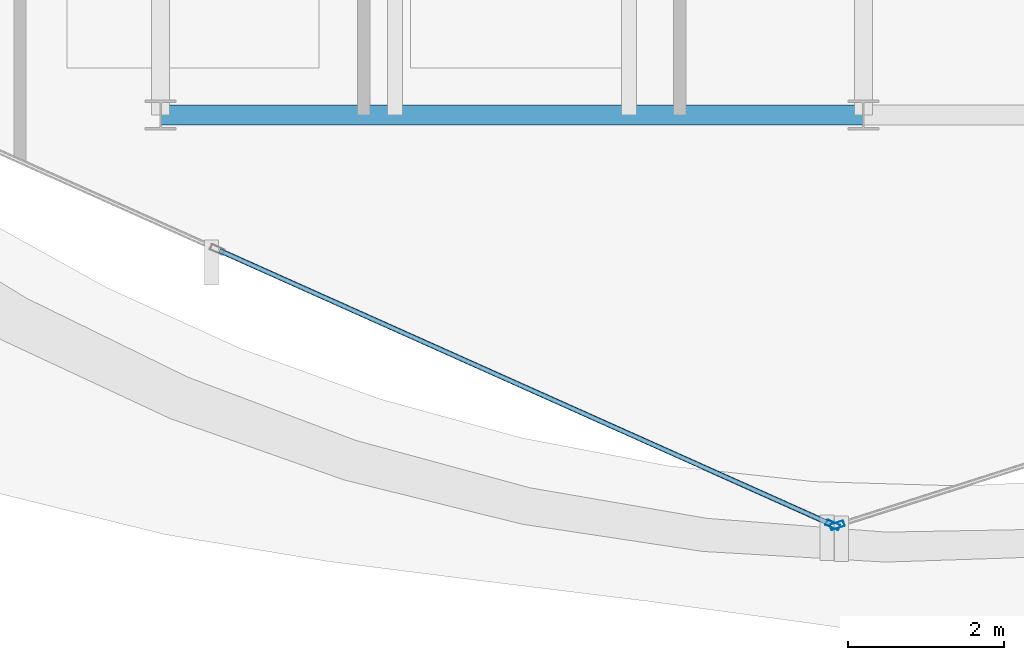
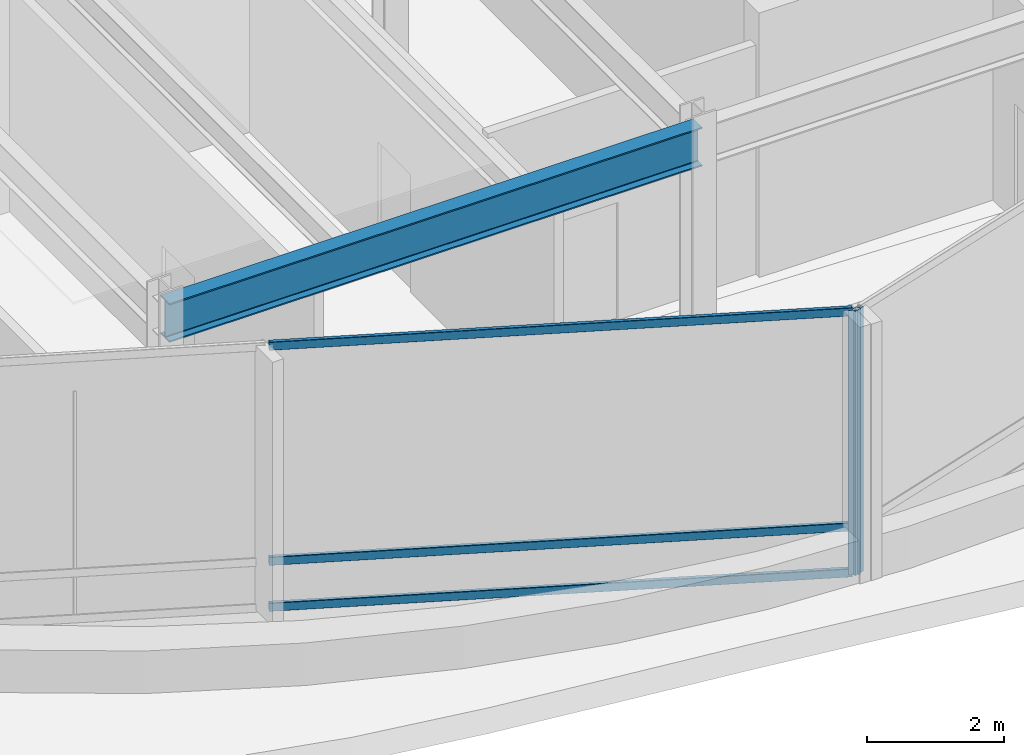
# One storey, part 3 of 23: 5 members, 1 beam, 2 elements without a shape of their own.
"""IFC4 building model written with IfcOpenShell, lengths in metres."""

from ifc_helpers import new_model, si_unit, direction, frame, origin, origin_2d, place, context, subcontext, project, spatial, hollow_rectangle, i_section, extrude, material, layer, layer_set, material_profile, profile_set, type_object, element, aggregate, save


model = new_model("IFC4")

# Units and contexts
model_context = context("Model", 3, precision=1e-05, world=origin(), true_north=direction((0.0, 1.0)))
body_context = subcontext(model_context, "Body", "Model", "MODEL_VIEW")
ifc_project = project(units=[si_unit("LENGTHUNIT", "METRE"), si_unit("AREAUNIT", "SQUARE_METRE"), si_unit("VOLUMEUNIT", "CUBIC_METRE"), si_unit("PLANEANGLEUNIT", "RADIAN"), si_unit("MASSUNIT", "GRAM", prefix="KILO")], contexts=[model_context])

# Site, building, storey
site_placement = place(None, origin())
site = spatial("IfcSite", under=ifc_project, at=site_placement, CompositionType="ELEMENT")
building_placement = place(site_placement, origin())
building = spatial("IfcBuilding", under=site, at=building_placement, Name="Solvaryn Broadcast Tower", CompositionType="ELEMENT")
storey_placement = place(building_placement, frame((0.0, 0.0, 235.800048828125)))
storey = spatial("IfcBuildingStorey", under=building, at=storey_placement, Name="L59", CompositionType="ELEMENT", Elevation=235.800048828125)

# Beam
ifc_material_1 = material(Name="Steel ASTM A992 Grade 50", Category="steel")
ifc_material_profile_1 = material_profile(ifc_material_1, i_section(OverallWidth=0.256103515625, OverallDepth=0.693115234375, WebThickness=0.014404296875, FlangeThickness=0.023681640625, FilletRadius=0.01611328125, at=origin_2d()))
ifc_profile_set_1 = profile_set([ifc_material_profile_1], Name="Steel ASTM A992 Grade 50")
beam_type = type_object("IfcBeamType", Name="BM-SP3-W27X114", PredefinedType="USERDEFINED", material=ifc_profile_set_1)
beam_placement = place(storey_placement, frame((18.0, 9.0, 4.37353515625), z_axis=(1.0, 0.0, 0.0), x_axis=(0.0, 1.0, 0.0)))
element("IfcBeam", 1, at=beam_placement, inside=storey, type_object=beam_type, Name="L59 Spandrel Beam X (18-27 @ Y=9)", ObjectType="SPANDREL", PredefinedType="USERDEFINED", context=body_context, shape_type="SweptSolid", body=[
    extrude(i_section(OverallWidth=0.256103515625, OverallDepth=0.693115234375, WebThickness=0.014404296875, FlangeThickness=0.023681640625, FilletRadius=0.01611328125, at=origin_2d()), origin(), (0.0, 0.0, 1.0), 9.0),
])

# Curtain wall, member
ifc_material_2 = material(Name="Aluminium and Terracotta Unitised Curtain Wall", Category="masonry")
ifc_layer = layer(ifc_material_2, 0.25)
ifc_layer_set = layer_set([ifc_layer], Name="CW-SYS4-SKYGARDEN")
curtain_wall_type = type_object("IfcCurtainWallType", Name="CW-SYS4-SKYGARDEN", PredefinedType="NOTDEFINED", material=ifc_layer_set)
curtain_wall_1_placement = place(storey_placement, origin())
curtain_wall_1 = element("IfcCurtainWall", 2, at=curtain_wall_1_placement, inside=storey, type_object=curtain_wall_type, Name="L59 Curtain Wall DR3", PredefinedType="NOTDEFINED")
ifc_material_3 = material(Name="Anodised Aluminium 6063-T6", Category="aluminium")
ifc_material_profile_2 = material_profile(ifc_material_3, hollow_rectangle(XDim=0.074951171875, YDim=0.179931640625, WallThickness=0.00390625, InnerFilletRadius=0.00390625, OuterFilletRadius=0.008056640625, at=origin_2d()))
ifc_profile_set_2 = profile_set([ifc_material_profile_2], Name="Anodised Aluminium 6063-T6")
member_type_1 = type_object("IfcMemberType", Name="CW-MUL-180", PredefinedType="MULLION", material=ifc_profile_set_2)
member_1_placement = place(storey_placement, frame((26.608642578125, 3.750244140625, 0.0), z_axis=(0.0, 0.0, 1.0), x_axis=(0.408466010682, 0.912773530574, 0.0)))
member_1 = element("IfcMember", 3, at=member_1_placement, type_object=member_type_1, Name="CWS4 mullion 3", PredefinedType="MULLION", context=body_context, shape_type="SweptSolid", body=[
    extrude(hollow_rectangle(XDim=0.074951171875, YDim=0.179931640625, WallThickness=0.00390625, InnerFilletRadius=0.00390625, OuterFilletRadius=0.008056640625, at=origin_2d()), origin(), (0.0, 0.0, 1.0), 4.719970703125),
])

curtain_wall_2_placement = place(storey_placement, origin())
curtain_wall_2 = element("IfcCurtainWall", 4, at=curtain_wall_2_placement, inside=storey, type_object=curtain_wall_type, Name="L59 Curtain Wall DR4", PredefinedType="NOTDEFINED")
member_2_placement = place(storey_placement, frame((26.66455078125, 3.7470703125, 0.0), z_axis=(0.0, 0.0, 1.0), x_axis=(-0.30361564569, 0.952794594701, 0.0)))
member_2 = element("IfcMember", 5, at=member_2_placement, type_object=member_type_1, Name="CWS4 mullion 1", PredefinedType="MULLION", context=body_context, shape_type="SweptSolid", body=[
    extrude(hollow_rectangle(XDim=0.074951171875, YDim=0.179931640625, WallThickness=0.00390625, InnerFilletRadius=0.00390625, OuterFilletRadius=0.008056640625, at=origin_2d()), origin(), (0.0, 0.0, 1.0), 4.719970703125),
])
aggregate(curtain_wall_2, [member_2])

# Member
ifc_material_4 = material(Name="Anodised Aluminium 6063-T6", Category="aluminium")
ifc_material_profile_3 = material_profile(ifc_material_4, hollow_rectangle(XDim=0.06494140625, YDim=0.14990234375, WallThickness=0.00390625, InnerFilletRadius=0.00390625, OuterFilletRadius=0.008056640625, at=origin_2d()))
ifc_profile_set_3 = profile_set([ifc_material_profile_3], Name="Anodised Aluminium 6063-T6")
member_type_2 = type_object("IfcMemberType", Name="CW-TRN-150", PredefinedType="USERDEFINED", material=ifc_profile_set_3)
member_3_placement = place(storey_placement, frame((18.75390625, 7.26513671875, 0.030029296875), z_axis=(0.91277663463, -0.408459074172, 0.0), x_axis=(0.408459074172, 0.91277663463, 0.0)))
member_3 = element("IfcMember", 6, at=member_3_placement, type_object=member_type_2, Name="CWS4 transom 2.1", ObjectType="TRANSOM", PredefinedType="USERDEFINED", context=body_context, shape_type="SweptSolid", body=[
    extrude(hollow_rectangle(XDim=0.06494140625, YDim=0.14990234375, WallThickness=0.00390625, InnerFilletRadius=0.00390625, OuterFilletRadius=0.008056640625, at=origin_2d()), origin(), (0.0, 0.0, 1.0), 8.575439453125),
])

member_4_placement = place(storey_placement, frame((18.75390625, 7.26513671875, 0.849853515625), z_axis=(0.91277663463, -0.408459074172, 0.0), x_axis=(0.408459074172, 0.91277663463, 0.0)))
member_4 = element("IfcMember", 7, at=member_4_placement, type_object=member_type_2, Name="CWS4 transom 2.2", ObjectType="TRANSOM", PredefinedType="USERDEFINED", context=body_context, shape_type="SweptSolid", body=[
    extrude(hollow_rectangle(XDim=0.06494140625, YDim=0.14990234375, WallThickness=0.00390625, InnerFilletRadius=0.00390625, OuterFilletRadius=0.008056640625, at=origin_2d()), origin(), (0.0, 0.0, 1.0), 8.575439453125),
])

member_5_placement = place(storey_placement, frame((18.75390625, 7.26513671875, 4.68994140625), z_axis=(0.91277663463, -0.408459074172, 0.0), x_axis=(0.408459074172, 0.91277663463, 0.0)))
member_5 = element("IfcMember", 8, at=member_5_placement, type_object=member_type_2, Name="CWS4 transom 2.3", ObjectType="TRANSOM", PredefinedType="USERDEFINED", context=body_context, shape_type="SweptSolid", body=[
    extrude(hollow_rectangle(XDim=0.06494140625, YDim=0.14990234375, WallThickness=0.00390625, InnerFilletRadius=0.00390625, OuterFilletRadius=0.008056640625, at=origin_2d()), origin(), (0.0, 0.0, 1.0), 8.575439453125),
])

aggregate(curtain_wall_1, [member_1, member_3, member_4, member_5])

save(model, "model.ifc")
